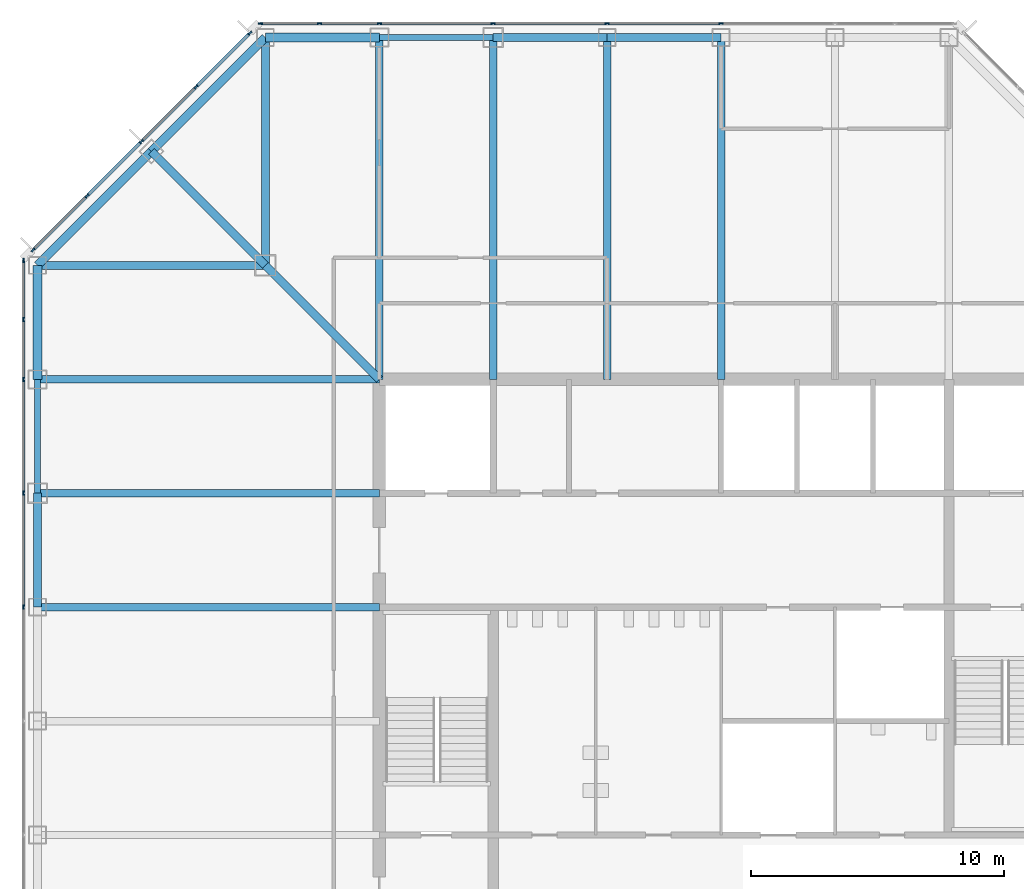
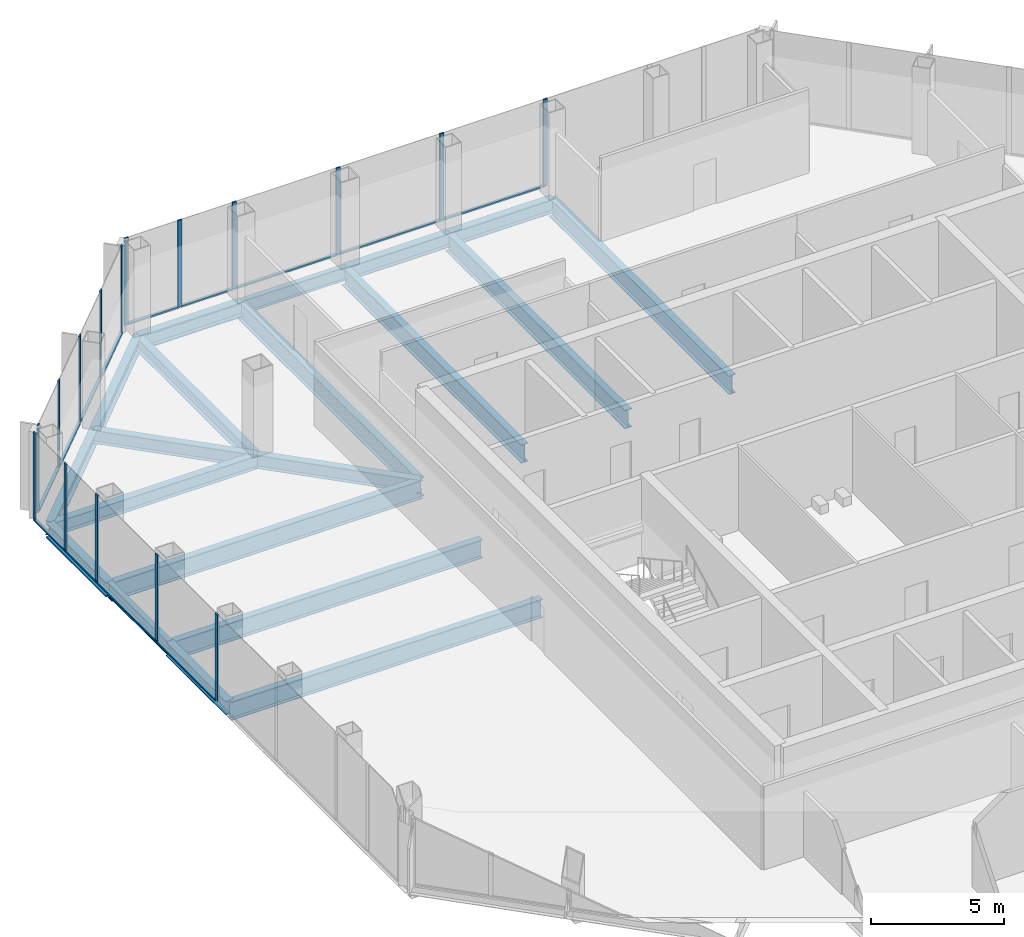
# One storey, part 5 of 12: 29 members, 20 beams, 3 elements without a shape of their own.
"""IFC4 building model written with IfcOpenShell, lengths in metres."""

from ifc_helpers import new_model, si_unit, direction, frame, origin, origin_2d, place, context, subcontext, project, spatial, rectangle, i_section, extrude, material, material_profile, profile_set, type_object, element, aggregate, save


model = new_model("IFC4")

# Units and contexts
model_context = context("Model", 3, precision=1e-05, world=origin(), true_north=direction((0.0, 1.0)))
body_context = subcontext(model_context, "Body", "Model", "MODEL_VIEW")
ifc_project = project(units=[si_unit("LENGTHUNIT", "METRE"), si_unit("AREAUNIT", "SQUARE_METRE"), si_unit("VOLUMEUNIT", "CUBIC_METRE"), si_unit("PLANEANGLEUNIT", "RADIAN"), si_unit("MASSUNIT", "GRAM", prefix="KILO")], contexts=[model_context])

# Site, building, storey
site_placement = place(None, origin())
site = spatial("IfcSite", under=ifc_project, at=site_placement, CompositionType="ELEMENT")
building_placement = place(site_placement, origin())
building = spatial("IfcBuilding", under=site, at=building_placement, Name="Corais Broadcast Tower", CompositionType="ELEMENT")
storey_placement = place(building_placement, frame((0.0, 0.0, 183.60009765625)))
storey = spatial("IfcBuildingStorey", under=building, at=storey_placement, Name="L42", CompositionType="ELEMENT", Elevation=183.60009765625)

# Beams
ifc_material_1 = material(Name="Steel ASTM A572 Grade 50", Category="steel")
ifc_material_profile_1 = material_profile(ifc_material_1, i_section(OverallWidth=0.323974609375, OverallDepth=0.611083984375, WebThickness=0.0126953125, FlangeThickness=0.01904296875, at=origin_2d()), Name="W610x155")
ifc_profile_set_1 = profile_set([ifc_material_profile_1], Name="Steel ASTM A572 Grade 50")
beam_type_1 = type_object("IfcBeamType", Name="Chamfer tie W610x155", PredefinedType="BEAM", material=ifc_profile_set_1)
beam_1_placement = place(storey_placement, frame((4.5, 49.5, -0.465576171875), z_axis=(0.707106781187, -0.707106781187, 0.0), x_axis=(0.707106781187, 0.707106781187, 0.0)))
element("IfcBeam", 1, at=beam_1_placement, inside=storey, type_object=beam_type_1, Name="B5 M/4 to L/5", PredefinedType="BEAM", context=body_context, shape_type="SweptSolid", body=[
    extrude(i_section(OverallWidth=0.323974609375, OverallDepth=0.611083984375, WebThickness=0.0126953125, FlangeThickness=0.01904296875, at=origin_2d()), origin(), (0.0, 0.0, 1.0), 6.364013671875),
])
ifc_material_2 = material(Name="Steel ASTM A572 Grade 50", Category="steel")
ifc_material_profile_2 = material_profile(ifc_material_2, i_section(OverallWidth=0.323974609375, OverallDepth=0.611083984375, WebThickness=0.0126953125, FlangeThickness=0.01904296875, at=origin_2d()), Name="W610x155")
ifc_profile_set_2 = profile_set([ifc_material_profile_2], Name="Steel ASTM A572 Grade 50")
beam_type_2 = type_object("IfcBeamType", Name="Corner diagonal W610x155", PredefinedType="BEAM", material=ifc_profile_set_2)
beam_2_placement = place(storey_placement, frame((9.0, 45.0, -0.465576171875), z_axis=(0.707106781187, -0.707106781187, 0.0), x_axis=(0.707106781187, 0.707106781187, 0.0)))
element("IfcBeam", 2, at=beam_2_placement, inside=storey, type_object=beam_type_2, Name="B6 L/5 to K/6", PredefinedType="BEAM", context=body_context, shape_type="SweptSolid", body=[
    extrude(i_section(OverallWidth=0.323974609375, OverallDepth=0.611083984375, WebThickness=0.0126953125, FlangeThickness=0.01904296875, at=origin_2d()), origin(), (0.0, 0.0, 1.0), 6.364013671875),
])
ifc_material_3 = material(Name="Steel ASTM A572 Grade 50", Category="steel")
ifc_material_profile_3 = material_profile(ifc_material_3, i_section(OverallWidth=0.323974609375, OverallDepth=0.611083984375, WebThickness=0.0126953125, FlangeThickness=0.01904296875, at=origin_2d()), Name="W610x155")
ifc_profile_set_3 = profile_set([ifc_material_profile_3], Name="Steel ASTM A572 Grade 50")
beam_type_3 = type_object("IfcBeamType", Name="Corner girder W610x155", PredefinedType="BEAM", material=ifc_profile_set_3)
for number, where, z_axis, x_axis, name in (
    (3, (0.0, 45.0, -0.465576171875), (1.0, 0.0, 0.0), (0.0, 1.0, 0.0), "B4 L/3 to L/5"),
    (4, (9.0, 54.0, -0.465576171875), (0.0, -1.0, 0.0), (1.0, 0.0, 0.0), "B4 N/5 to L/5"),
):
    element("IfcBeam", number, at=place(storey_placement, frame(where, z_axis=z_axis, x_axis=x_axis)), inside=storey, type_object=beam_type_3, Name=name, PredefinedType="BEAM", context=body_context, shape_type="SweptSolid", body=[
        extrude(i_section(OverallWidth=0.323974609375, OverallDepth=0.611083984375, WebThickness=0.0126953125, FlangeThickness=0.01904296875, at=origin_2d()), origin(), (0.0, 0.0, 1.0), 9.0),
    ])
ifc_material_4 = material(Name="Steel ASTM A572 Grade 50", Category="steel")
ifc_material_profile_4 = material_profile(ifc_material_4, i_section(OverallWidth=0.337890625, OverallDepth=0.677978515625, WebThickness=0.029541015625, FlangeThickness=0.052978515625, at=origin_2d()), Name="W610x415")
ifc_profile_set_4 = profile_set([ifc_material_profile_4], Name="Steel ASTM A572 Grade 50")
beam_type_4 = type_object("IfcBeamType", Name="Corner spandrel W610x415", PredefinedType="BEAM", material=ifc_profile_set_4)
for number, where, z_axis, x_axis, name in (
    (5, (0.0, 45.0, -0.4990234375), (0.0, -1.0, 0.0), (1.0, 0.0, 0.0), "SB10 L/3 to K/3"),
    (6, (13.5, 54.0, -0.4990234375), (-1.0, 0.0, 0.0), (0.0, -1.0, 0.0), "SB10 N/6 to N/5"),
):
    element("IfcBeam", number, at=place(storey_placement, frame(where, z_axis=z_axis, x_axis=x_axis)), inside=storey, type_object=beam_type_4, Name=name, PredefinedType="BEAM", context=body_context, shape_type="SweptSolid", body=[
        extrude(i_section(OverallWidth=0.337890625, OverallDepth=0.677978515625, WebThickness=0.029541015625, FlangeThickness=0.052978515625, at=origin_2d()), origin(), (0.0, 0.0, 1.0), 4.5),
    ])
ifc_material_5 = material(Name="Steel ASTM A572 Grade 50", Category="steel")
ifc_material_profile_5 = material_profile(ifc_material_5, i_section(OverallWidth=0.2939453125, OverallDepth=0.85107421875, WebThickness=0.01611328125, FlangeThickness=0.02685546875, at=origin_2d()), Name="W840x226")
ifc_profile_set_5 = profile_set([ifc_material_profile_5], Name="Steel ASTM A572 Grade 50")
beam_type_5 = type_object("IfcBeamType", Name="Floor beam W840x226", PredefinedType="BEAM", material=ifc_profile_set_5)
for number, where, z_axis, x_axis, name in (
    (7, (0.0, 31.5, -0.585693359375), (1.0, 0.0, 0.0), (0.0, 1.0, 0.0), "B1 H/3 to H/6"),
    (8, (0.0, 36.0, -0.585693359375), (1.0, 0.0, 0.0), (0.0, 1.0, 0.0), "B1 J/3 to J/6"),
    (9, (0.0, 40.5, -0.585693359375), (1.0, 0.0, 0.0), (0.0, 1.0, 0.0), "B1 K/3 to K/6"),
    (10, (13.5, 54.0, -0.585693359375), (0.0, -1.0, 0.0), (1.0, 0.0, 0.0), "B1 N/6 to K/6"),
    (11, (18.0, 54.0, -0.585693359375), (0.0, -1.0, 0.0), (1.0, 0.0, 0.0), "B1 N/7 to K/7"),
    (12, (22.5, 54.0, -0.585693359375), (0.0, -1.0, 0.0), (1.0, 0.0, 0.0), "B1 N/8 to K/8"),
    (13, (27.0, 54.0, -0.585693359375), (0.0, -1.0, 0.0), (1.0, 0.0, 0.0), "B1 N/9 to K/9"),
):
    element("IfcBeam", number, at=place(storey_placement, frame(where, z_axis=z_axis, x_axis=x_axis)), inside=storey, type_object=beam_type_5, Name=name, PredefinedType="BEAM", context=body_context, shape_type="SweptSolid", body=[
        extrude(i_section(OverallWidth=0.2939453125, OverallDepth=0.85107421875, WebThickness=0.01611328125, FlangeThickness=0.02685546875, at=origin_2d()), origin(), (0.0, 0.0, 1.0), 13.5),
    ])

# Curtain wall, members
ifc_material_6 = material(Name="Aluminium and glass", Category="aluminium")
curtain_wall_type = type_object("IfcCurtainWallType", Name="Unitised fritted curtain wall CW2", PredefinedType="NOTDEFINED", material=ifc_material_6)
curtain_wall_1_placement = place(storey_placement, origin())
curtain_wall_1 = element("IfcCurtainWall", 14, at=curtain_wall_1_placement, inside=storey, type_object=curtain_wall_type, Name="CW2 curtain wall L42 2", PredefinedType="NOTDEFINED")
ifc_material_7 = material(Name="Aluminium 6063-T6", Category="aluminium")
ifc_material_profile_6 = material_profile(ifc_material_7, rectangle(XDim=0.06494140625, YDim=0.179931640625, at=origin_2d()), Name="Mullion CW2 65x180")
ifc_profile_set_6 = profile_set([ifc_material_profile_6], Name="Aluminium 6063-T6")
member_type_1 = type_object("IfcMemberType", Name="Mullion CW2 65x180", PredefinedType="MULLION", material=ifc_profile_set_6)
member_1_placement = place(storey_placement, frame((-0.550048828125, 31.5, 0.0), z_axis=(0.0, 0.0, 1.0), x_axis=(-1.0, 0.0, 0.0)))
member_1 = element("IfcMember", 15, at=member_1_placement, type_object=member_type_1, Name="CW2 mullion 5", PredefinedType="MULLION", context=body_context, shape_type="SweptSolid", body=[
    extrude(rectangle(XDim=0.06494140625, YDim=0.179931640625, at=origin_2d()), origin(), (0.0, 0.0, 1.0), 4.0),
])
member_2_placement = place(storey_placement, frame((-0.550048828125, 36.0, 0.0), z_axis=(0.0, 0.0, 1.0), x_axis=(-1.0, 0.0, 0.0)))
member_2 = element("IfcMember", 16, at=member_2_placement, type_object=member_type_1, Name="CW2 mullion 6", PredefinedType="MULLION", context=body_context, shape_type="SweptSolid", body=[
    extrude(rectangle(XDim=0.06494140625, YDim=0.179931640625, at=origin_2d()), origin(), (0.0, 0.0, 1.0), 4.0),
])
member_3_placement = place(storey_placement, frame((-0.550048828125, 40.5, 0.0), z_axis=(0.0, 0.0, 1.0), x_axis=(-1.0, 0.0, 0.0)))
member_3 = element("IfcMember", 17, at=member_3_placement, type_object=member_type_1, Name="CW2 mullion 7", PredefinedType="MULLION", context=body_context, shape_type="SweptSolid", body=[
    extrude(rectangle(XDim=0.06494140625, YDim=0.179931640625, at=origin_2d()), origin(), (0.0, 0.0, 1.0), 4.0),
])
member_4_placement = place(storey_placement, frame((-0.550048828125, 42.864013671875, 0.0), z_axis=(0.0, 0.0, 1.0), x_axis=(-1.0, 0.0, 0.0)))
member_4 = element("IfcMember", 18, at=member_4_placement, type_object=member_type_1, Name="CW2 mullion 8", PredefinedType="MULLION", context=body_context, shape_type="SweptSolid", body=[
    extrude(rectangle(XDim=0.06494140625, YDim=0.179931640625, at=origin_2d()), origin(), (0.0, 0.0, 1.0), 4.0),
])
member_5_placement = place(storey_placement, frame((-0.550048828125, 45.1953125, 0.0), z_axis=(0.0, 0.0, 1.0), x_axis=(-1.0, 0.0, 0.0)))
member_5 = element("IfcMember", 19, at=member_5_placement, type_object=member_type_1, Name="CW2 mullion 9", PredefinedType="MULLION", context=body_context, shape_type="SweptSolid", body=[
    extrude(rectangle(XDim=0.06494140625, YDim=0.179931640625, at=origin_2d()), origin(), (0.0, 0.0, 1.0), 4.0),
])

curtain_wall_2_placement = place(storey_placement, origin())
curtain_wall_2 = element("IfcCurtainWall", 20, at=curtain_wall_2_placement, inside=storey, type_object=curtain_wall_type, Name="CW2 curtain wall L42 3", PredefinedType="NOTDEFINED")
member_6_placement = place(storey_placement, frame((-0.17333984375, 45.6044921875, 0.0), z_axis=(0.0, 0.0, 1.0), x_axis=(-0.707106781187, 0.707106781187, 0.0)))
member_6 = element("IfcMember", 21, at=member_6_placement, type_object=member_type_1, Name="CW2 mullion 1", PredefinedType="MULLION", context=body_context, shape_type="SweptSolid", body=[
    extrude(rectangle(XDim=0.06494140625, YDim=0.179931640625, at=origin_2d()), origin(), (0.0, 0.0, 1.0), 4.0),
])
member_7_placement = place(storey_placement, frame((1.957275390625, 47.735107421875, 0.0), z_axis=(0.0, 0.0, 1.0), x_axis=(-0.707106781187, 0.707106781187, 0.0)))
member_7 = element("IfcMember", 22, at=member_7_placement, type_object=member_type_1, Name="CW2 mullion 2", PredefinedType="MULLION", context=body_context, shape_type="SweptSolid", body=[
    extrude(rectangle(XDim=0.06494140625, YDim=0.179931640625, at=origin_2d()), origin(), (0.0, 0.0, 1.0), 4.0),
])
member_8_placement = place(storey_placement, frame((4.111083984375, 49.888916015625, 0.0), z_axis=(0.0, 0.0, 1.0), x_axis=(-0.707106781187, 0.707106781187, 0.0)))
member_8 = element("IfcMember", 23, at=member_8_placement, type_object=member_type_1, Name="CW2 mullion 3", PredefinedType="MULLION", context=body_context, shape_type="SweptSolid", body=[
    extrude(rectangle(XDim=0.06494140625, YDim=0.179931640625, at=origin_2d()), origin(), (0.0, 0.0, 1.0), 4.0),
])
member_9_placement = place(storey_placement, frame((6.264892578125, 52.042724609375, 0.0), z_axis=(0.0, 0.0, 1.0), x_axis=(-0.707106781187, 0.707106781187, 0.0)))
member_9 = element("IfcMember", 24, at=member_9_placement, type_object=member_type_1, Name="CW2 mullion 4", PredefinedType="MULLION", context=body_context, shape_type="SweptSolid", body=[
    extrude(rectangle(XDim=0.06494140625, YDim=0.179931640625, at=origin_2d()), origin(), (0.0, 0.0, 1.0), 4.0),
])
member_10_placement = place(storey_placement, frame((8.3955078125, 54.17333984375, 0.0), z_axis=(0.0, 0.0, 1.0), x_axis=(-0.707106781187, 0.707106781187, 0.0)))
member_10 = element("IfcMember", 25, at=member_10_placement, type_object=member_type_1, Name="CW2 mullion 5", PredefinedType="MULLION", context=body_context, shape_type="SweptSolid", body=[
    extrude(rectangle(XDim=0.06494140625, YDim=0.179931640625, at=origin_2d()), origin(), (0.0, 0.0, 1.0), 4.0),
])

curtain_wall_3_placement = place(storey_placement, origin())
curtain_wall_3 = element("IfcCurtainWall", 26, at=curtain_wall_3_placement, inside=storey, type_object=curtain_wall_type, Name="CW2 curtain wall L42 4", PredefinedType="NOTDEFINED")
member_11_placement = place(storey_placement, frame((8.8046875, 54.550048828125, 0.0), z_axis=(0.0, 0.0, 1.0), x_axis=(0.0, 1.0, 0.0)))
member_11 = element("IfcMember", 27, at=member_11_placement, type_object=member_type_1, Name="CW2 mullion 1", PredefinedType="MULLION", context=body_context, shape_type="SweptSolid", body=[
    extrude(rectangle(XDim=0.06494140625, YDim=0.179931640625, at=origin_2d()), origin(), (0.0, 0.0, 1.0), 4.0),
])
member_12_placement = place(storey_placement, frame((11.135986328125, 54.550048828125, 0.0), z_axis=(0.0, 0.0, 1.0), x_axis=(0.0, 1.0, 0.0)))
member_12 = element("IfcMember", 28, at=member_12_placement, type_object=member_type_1, Name="CW2 mullion 2", PredefinedType="MULLION", context=body_context, shape_type="SweptSolid", body=[
    extrude(rectangle(XDim=0.06494140625, YDim=0.179931640625, at=origin_2d()), origin(), (0.0, 0.0, 1.0), 4.0),
])
member_13_placement = place(storey_placement, frame((13.5, 54.550048828125, 0.0), z_axis=(0.0, 0.0, 1.0), x_axis=(0.0, 1.0, 0.0)))
member_13 = element("IfcMember", 29, at=member_13_placement, type_object=member_type_1, Name="CW2 mullion 3", PredefinedType="MULLION", context=body_context, shape_type="SweptSolid", body=[
    extrude(rectangle(XDim=0.06494140625, YDim=0.179931640625, at=origin_2d()), origin(), (0.0, 0.0, 1.0), 4.0),
])
member_14_placement = place(storey_placement, frame((18.0, 54.550048828125, 0.0), z_axis=(0.0, 0.0, 1.0), x_axis=(0.0, 1.0, 0.0)))
member_14 = element("IfcMember", 30, at=member_14_placement, type_object=member_type_1, Name="CW2 mullion 4", PredefinedType="MULLION", context=body_context, shape_type="SweptSolid", body=[
    extrude(rectangle(XDim=0.06494140625, YDim=0.179931640625, at=origin_2d()), origin(), (0.0, 0.0, 1.0), 4.0),
])
member_15_placement = place(storey_placement, frame((22.5, 54.550048828125, 0.0), z_axis=(0.0, 0.0, 1.0), x_axis=(0.0, 1.0, 0.0)))
member_15 = element("IfcMember", 31, at=member_15_placement, type_object=member_type_1, Name="CW2 mullion 5", PredefinedType="MULLION", context=body_context, shape_type="SweptSolid", body=[
    extrude(rectangle(XDim=0.06494140625, YDim=0.179931640625, at=origin_2d()), origin(), (0.0, 0.0, 1.0), 4.0),
])
member_16_placement = place(storey_placement, frame((27.0, 54.550048828125, 0.0), z_axis=(0.0, 0.0, 1.0), x_axis=(0.0, 1.0, 0.0)))
member_16 = element("IfcMember", 32, at=member_16_placement, type_object=member_type_1, Name="CW2 mullion 6", PredefinedType="MULLION", context=body_context, shape_type="SweptSolid", body=[
    extrude(rectangle(XDim=0.06494140625, YDim=0.179931640625, at=origin_2d()), origin(), (0.0, 0.0, 1.0), 4.0),
])

# Beams
ifc_material_8 = material(Name="Steel ASTM A572 Grade 50", Category="steel")
ifc_material_profile_7 = material_profile(ifc_material_8, i_section(OverallWidth=0.22900390625, OverallDepth=0.612060546875, WebThickness=0.011962890625, FlangeThickness=0.01953125, at=origin_2d()), Name="W610x125")
ifc_profile_set_7 = profile_set([ifc_material_profile_7], Name="Steel ASTM A572 Grade 50")
beam_type_6 = type_object("IfcBeamType", Name="Pinned spandrel W610x125", PredefinedType="BEAM", material=ifc_profile_set_7)
for number, where, z_axis, x_axis, name in (
    (33, (0.0, 40.5, -0.466064453125), (0.0, -1.0, 0.0), (1.0, 0.0, 0.0), "SB7 K/3 to J/3"),
    (34, (18.0, 54.0, -0.466064453125), (-1.0, 0.0, 0.0), (0.0, -1.0, 0.0), "SB7 N/7 to N/6"),
):
    element("IfcBeam", number, at=place(storey_placement, frame(where, z_axis=z_axis, x_axis=x_axis)), inside=storey, type_object=beam_type_6, Name=name, PredefinedType="BEAM", context=body_context, shape_type="SweptSolid", body=[
        extrude(i_section(OverallWidth=0.22900390625, OverallDepth=0.612060546875, WebThickness=0.011962890625, FlangeThickness=0.01953125, at=origin_2d()), origin(), (0.0, 0.0, 1.0), 4.5),
    ])
ifc_material_9 = material(Name="Steel ASTM A572 Grade 50", Category="steel")
ifc_material_profile_8 = material_profile(ifc_material_9, i_section(OverallWidth=0.3291015625, OverallDepth=0.635009765625, WebThickness=0.017822265625, FlangeThickness=0.031005859375, at=origin_2d()), Name="W610x241")
ifc_profile_set_8 = profile_set([ifc_material_profile_8], Name="Steel ASTM A572 Grade 50")
beam_type_7 = type_object("IfcBeamType", Name="Spandrel W610x241", PredefinedType="BEAM", material=ifc_profile_set_8)
for number, where, z_axis, x_axis, name in (
    (35, (0.0, 36.0, -0.4775390625), (0.0, -1.0, 0.0), (1.0, 0.0, 0.0), "SB1 J/3 to H/3"),
    (36, (22.5, 54.0, -0.4775390625), (-1.0, 0.0, 0.0), (0.0, -1.0, 0.0), "SB1 N/8 to N/7"),
    (37, (27.0, 54.0, -0.4775390625), (-1.0, 0.0, 0.0), (0.0, -1.0, 0.0), "SB1 N/9 to N/8"),
):
    element("IfcBeam", number, at=place(storey_placement, frame(where, z_axis=z_axis, x_axis=x_axis)), inside=storey, type_object=beam_type_7, Name=name, PredefinedType="BEAM", context=body_context, shape_type="SweptSolid", body=[
        extrude(i_section(OverallWidth=0.3291015625, OverallDepth=0.635009765625, WebThickness=0.017822265625, FlangeThickness=0.031005859375, at=origin_2d()), origin(), (0.0, 0.0, 1.0), 4.5),
    ])
for number, where, z_axis, x_axis, name in (
    (38, (4.5, 49.5, -0.4775390625), (-0.707106781187, -0.707106781187, 0.0), (0.707106781187, -0.707106781187, 0.0), "SB1 M/4 to L/3"),
    (39, (9.0, 54.0, -0.4775390625), (-0.707106781187, -0.707106781187, 0.0), (0.707106781187, -0.707106781187, 0.0), "SB1 N/5 to M/4"),
):
    element("IfcBeam", number, at=place(storey_placement, frame(where, z_axis=z_axis, x_axis=x_axis)), inside=storey, type_object=beam_type_7, Name=name, PredefinedType="BEAM", context=body_context, shape_type="SweptSolid", body=[
        extrude(i_section(OverallWidth=0.3291015625, OverallDepth=0.635009765625, WebThickness=0.017822265625, FlangeThickness=0.031005859375, at=origin_2d()), origin(), (0.0, 0.0, 1.0), 6.364013671875),
    ])

# Member
ifc_material_10 = material(Name="Aluminium 6063-T6", Category="aluminium")
ifc_material_profile_9 = material_profile(ifc_material_10, rectangle(XDim=0.1298828125, YDim=0.06494140625, at=origin_2d()), Name="Transom CW2 65x130")
ifc_profile_set_9 = profile_set([ifc_material_profile_9], Name="Aluminium 6063-T6")
member_type_2 = type_object("IfcMemberType", Name="Transom CW2 65x130", PredefinedType="USERDEFINED", material=ifc_profile_set_9)
member_17_placement = place(storey_placement, frame((-0.550048828125, 31.532470703125, 0.032470703125), z_axis=(0.0, 1.0, 0.0), x_axis=(-1.0, 0.0, 0.0)))
member_17 = element("IfcMember", 40, at=member_17_placement, type_object=member_type_2, Name="CW2 transom 5.1", ObjectType="TRANSOM", PredefinedType="USERDEFINED", context=body_context, shape_type="SweptSolid", body=[
    extrude(rectangle(XDim=0.1298828125, YDim=0.06494140625, at=origin_2d()), origin(), (0.0, 0.0, 1.0), 4.43505859375),
])

member_18_placement = place(storey_placement, frame((-0.550048828125, 36.032470703125, 0.032470703125), z_axis=(0.0, 1.0, 0.0), x_axis=(-1.0, 0.0, 0.0)))
member_18 = element("IfcMember", 41, at=member_18_placement, type_object=member_type_2, Name="CW2 transom 6.1", ObjectType="TRANSOM", PredefinedType="USERDEFINED", context=body_context, shape_type="SweptSolid", body=[
    extrude(rectangle(XDim=0.1298828125, YDim=0.06494140625, at=origin_2d()), origin(), (0.0, 0.0, 1.0), 4.43505859375),
])

member_19_placement = place(storey_placement, frame((-0.550048828125, 40.532470703125, 0.032470703125), z_axis=(0.0, 1.0, 0.0), x_axis=(-1.0, 0.0, 0.0)))
member_19 = element("IfcMember", 42, at=member_19_placement, type_object=member_type_2, Name="CW2 transom 7.1", ObjectType="TRANSOM", PredefinedType="USERDEFINED", context=body_context, shape_type="SweptSolid", body=[
    extrude(rectangle(XDim=0.1298828125, YDim=0.06494140625, at=origin_2d()), origin(), (0.0, 0.0, 1.0), 2.298828125),
])

member_20_placement = place(storey_placement, frame((-0.550048828125, 42.896484375, 0.032470703125), z_axis=(0.0, 1.0, 0.0), x_axis=(-1.0, 0.0, 0.0)))
member_20 = element("IfcMember", 43, at=member_20_placement, type_object=member_type_2, Name="CW2 transom 8.1", ObjectType="TRANSOM", PredefinedType="USERDEFINED", context=body_context, shape_type="SweptSolid", body=[
    extrude(rectangle(XDim=0.1298828125, YDim=0.06494140625, at=origin_2d()), origin(), (0.0, 0.0, 1.0), 2.266357421875),
])

aggregate(curtain_wall_1, [member_1, member_2, member_3, member_4, member_5, member_17, member_18, member_19, member_20])

member_21_placement = place(storey_placement, frame((-0.150390625, 45.62744140625, 0.032470703125), z_axis=(0.707106781187, 0.707106781187, 0.0), x_axis=(-0.707106781187, 0.707106781187, 0.0)))
member_21 = element("IfcMember", 44, at=member_21_placement, type_object=member_type_2, Name="CW2 transom 1.1", ObjectType="TRANSOM", PredefinedType="USERDEFINED", context=body_context, shape_type="SweptSolid", body=[
    extrude(rectangle(XDim=0.1298828125, YDim=0.06494140625, at=origin_2d()), origin(), (0.0, 0.0, 1.0), 2.9482421875),
])

member_22_placement = place(storey_placement, frame((1.980224609375, 47.758056640625, 0.032470703125), z_axis=(0.707106781187, 0.707106781187, 0.0), x_axis=(-0.707106781187, 0.707106781187, 0.0)))
member_22 = element("IfcMember", 45, at=member_22_placement, type_object=member_type_2, Name="CW2 transom 2.1", ObjectType="TRANSOM", PredefinedType="USERDEFINED", context=body_context, shape_type="SweptSolid", body=[
    extrude(rectangle(XDim=0.1298828125, YDim=0.06494140625, at=origin_2d()), origin(), (0.0, 0.0, 1.0), 2.98095703125),
])

member_23_placement = place(storey_placement, frame((4.134033203125, 49.911865234375, 0.032470703125), z_axis=(0.707106781187, 0.707106781187, 0.0), x_axis=(-0.707106781187, 0.707106781187, 0.0)))
member_23 = element("IfcMember", 46, at=member_23_placement, type_object=member_type_2, Name="CW2 transom 3.1", ObjectType="TRANSOM", PredefinedType="USERDEFINED", context=body_context, shape_type="SweptSolid", body=[
    extrude(rectangle(XDim=0.1298828125, YDim=0.06494140625, at=origin_2d()), origin(), (0.0, 0.0, 1.0), 2.98095703125),
])

member_24_placement = place(storey_placement, frame((6.287841796875, 52.065673828125, 0.032470703125), z_axis=(0.707106781187, 0.707106781187, 0.0), x_axis=(-0.707106781187, 0.707106781187, 0.0)))
member_24 = element("IfcMember", 47, at=member_24_placement, type_object=member_type_2, Name="CW2 transom 4.1", ObjectType="TRANSOM", PredefinedType="USERDEFINED", context=body_context, shape_type="SweptSolid", body=[
    extrude(rectangle(XDim=0.1298828125, YDim=0.06494140625, at=origin_2d()), origin(), (0.0, 0.0, 1.0), 2.9482421875),
])

aggregate(curtain_wall_2, [member_6, member_7, member_8, member_9, member_10, member_21, member_22, member_23, member_24])

member_25_placement = place(storey_placement, frame((8.837158203125, 54.550048828125, 0.032470703125), z_axis=(1.0, 0.0, 0.0), x_axis=(0.0, 1.0, 0.0)))
member_25 = element("IfcMember", 48, at=member_25_placement, type_object=member_type_2, Name="CW2 transom 1.1", ObjectType="TRANSOM", PredefinedType="USERDEFINED", context=body_context, shape_type="SweptSolid", body=[
    extrude(rectangle(XDim=0.1298828125, YDim=0.06494140625, at=origin_2d()), origin(), (0.0, 0.0, 1.0), 2.266357421875),
])

member_26_placement = place(storey_placement, frame((11.168701171875, 54.550048828125, 0.032470703125), z_axis=(1.0, 0.0, 0.0), x_axis=(0.0, 1.0, 0.0)))
member_26 = element("IfcMember", 49, at=member_26_placement, type_object=member_type_2, Name="CW2 transom 2.1", ObjectType="TRANSOM", PredefinedType="USERDEFINED", context=body_context, shape_type="SweptSolid", body=[
    extrude(rectangle(XDim=0.1298828125, YDim=0.06494140625, at=origin_2d()), origin(), (0.0, 0.0, 1.0), 2.298828125),
])

member_27_placement = place(storey_placement, frame((13.532470703125, 54.550048828125, 0.032470703125), z_axis=(1.0, 0.0, 0.0), x_axis=(0.0, 1.0, 0.0)))
member_27 = element("IfcMember", 50, at=member_27_placement, type_object=member_type_2, Name="CW2 transom 3.1", ObjectType="TRANSOM", PredefinedType="USERDEFINED", context=body_context, shape_type="SweptSolid", body=[
    extrude(rectangle(XDim=0.1298828125, YDim=0.06494140625, at=origin_2d()), origin(), (0.0, 0.0, 1.0), 4.43505859375),
])

member_28_placement = place(storey_placement, frame((18.032470703125, 54.550048828125, 0.032470703125), z_axis=(1.0, 0.0, 0.0), x_axis=(0.0, 1.0, 0.0)))
member_28 = element("IfcMember", 51, at=member_28_placement, type_object=member_type_2, Name="CW2 transom 4.1", ObjectType="TRANSOM", PredefinedType="USERDEFINED", context=body_context, shape_type="SweptSolid", body=[
    extrude(rectangle(XDim=0.1298828125, YDim=0.06494140625, at=origin_2d()), origin(), (0.0, 0.0, 1.0), 4.43505859375),
])

member_29_placement = place(storey_placement, frame((22.532470703125, 54.550048828125, 0.032470703125), z_axis=(1.0, 0.0, 0.0), x_axis=(0.0, 1.0, 0.0)))
member_29 = element("IfcMember", 52, at=member_29_placement, type_object=member_type_2, Name="CW2 transom 5.1", ObjectType="TRANSOM", PredefinedType="USERDEFINED", context=body_context, shape_type="SweptSolid", body=[
    extrude(rectangle(XDim=0.1298828125, YDim=0.06494140625, at=origin_2d()), origin(), (0.0, 0.0, 1.0), 4.43505859375),
])

aggregate(curtain_wall_3, [member_11, member_12, member_13, member_14, member_15, member_16, member_25, member_26, member_27, member_28, member_29])

save(model, "model.ifc")
